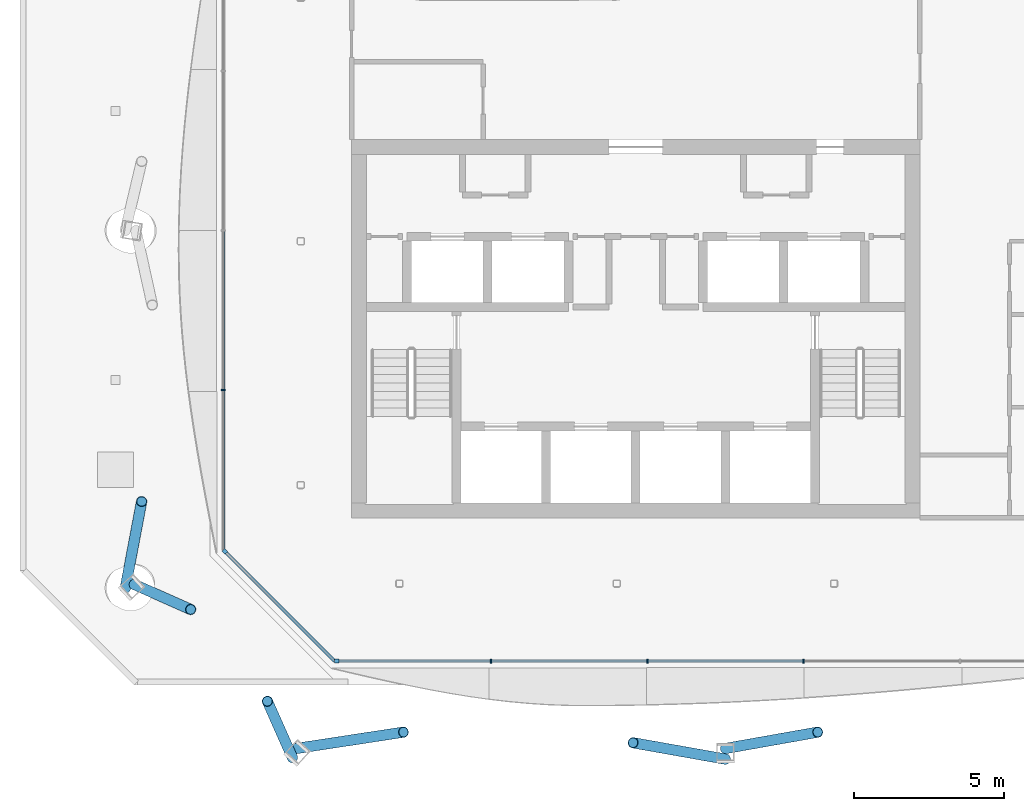
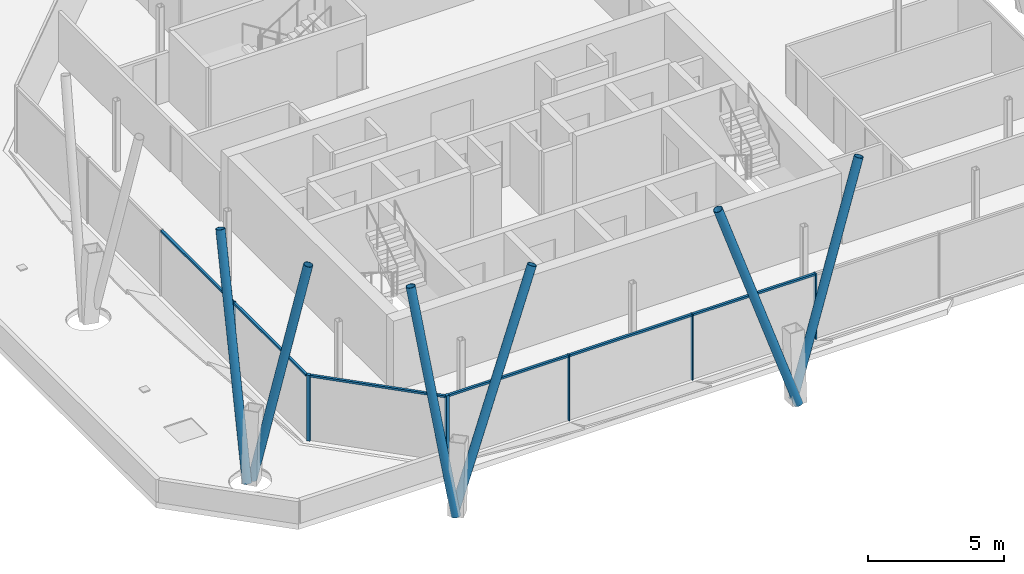
# One storey, part 3 of 17: 18 members, 3 elements without a shape of their own.
"""IFC4 building model written with IfcOpenShell, lengths in metres."""

from ifc_helpers import new_model, si_unit, direction, frame, origin, origin_2d, place, context, subcontext, project, spatial, rectangle, hollow_circle, extrude, material, material_profile, profile_set, type_object, element, aggregate, save


model = new_model("IFC4")

# Units and contexts
model_context = context("Model", 3, precision=1e-05, world=origin(), true_north=direction((0.0, 1.0)))
body_context = subcontext(model_context, "Body", "Model", "MODEL_VIEW")
ifc_project = project(units=[si_unit("LENGTHUNIT", "METRE"), si_unit("AREAUNIT", "SQUARE_METRE"), si_unit("VOLUMEUNIT", "CUBIC_METRE"), si_unit("PLANEANGLEUNIT", "RADIAN"), si_unit("MASSUNIT", "GRAM", prefix="KILO")], contexts=[model_context])

# Site, building, storey
site_placement = place(None, origin())
site = spatial("IfcSite", under=ifc_project, at=site_placement, CompositionType="ELEMENT")
building_placement = place(site_placement, origin())
building = spatial("IfcBuilding", under=site, at=building_placement, Name="Tskaro Facet Tower", CompositionType="ELEMENT")
storey_placement = place(building_placement, frame((0.0, 0.0, 259.5)))
storey = spatial("IfcBuildingStorey", under=building, at=storey_placement, Name="L68", CompositionType="ELEMENT", Elevation=259.5)

# Members
ifc_material_1 = material(Name="Steel S355J2H", Category="steel")
ifc_material_profile_1 = material_profile(ifc_material_1, hollow_circle(Radius=0.177734375, WallThickness=0.01611328125, at=origin_2d()), Name="CHS 355.6x16")
ifc_profile_set_1 = profile_set([ifc_material_profile_1], Name="Steel S355J2H")
member_type_1 = type_object("IfcMemberType", Name="CHS 355.6x16 brace", PredefinedType="BRACE", material=ifc_profile_set_1)
member_1_placement = place(storey_placement, frame((-11.35498046875, -19.715087890625, 0.0), z_axis=(0.354494082848, 0.054094171565, 0.933492241976), x_axis=(-0.150849231904, 0.988556780986, 0.0)))
element("IfcMember", 1, at=member_1_placement, inside=storey, type_object=member_type_1, Name="CHS 355.6x16 XB01A/6", PredefinedType="BRACE", context=body_context, shape_type="SweptSolid", body=[
    extrude(hollow_circle(Radius=0.177734375, WallThickness=0.01611328125, at=origin_2d()), origin(), (0.0, 0.0, 1.0), 10.123291015625),
])
for number, where, z_axis, x_axis, name in (
    (2, (3.0, -20.07080078125, 0.0), (-0.310174829584, 0.055022317596, 0.949085939027), (-0.174664448116, -0.984628016341, 0.0), "CHS 355.6x16 XB01B/6"),
    (3, (3.0, -19.715087890625, 0.0), (0.310175247958, 0.054997872029, 0.949087219188), (-0.174588984972, 0.984641399864, 0.0), "CHS 355.6x16 XB02A/6"),
):
    element("IfcMember", number, at=place(storey_placement, frame(where, z_axis=z_axis, x_axis=x_axis)), inside=storey, type_object=member_type_1, Name=name, PredefinedType="BRACE", context=body_context, shape_type="SweptSolid", body=[
        extrude(hollow_circle(Radius=0.177734375, WallThickness=0.01611328125, at=origin_2d()), origin(), (0.0, 0.0, 1.0), 9.956787109375),
    ])
member_2_placement = place(storey_placement, frame((-17.07080078125, -14.35498046875, 0.0), z_axis=(0.055336217431, 0.293030424123, 0.954500431419), x_axis=(-0.982632646837, 0.185561529875, 0.0)))
element("IfcMember", 4, at=member_2_placement, inside=storey, type_object=member_type_1, Name="CHS 355.6x16 XB11B/6", PredefinedType="BRACE", context=body_context, shape_type="SweptSolid", body=[
    extrude(hollow_circle(Radius=0.177734375, WallThickness=0.01611328125, at=origin_2d()), origin(), (0.0, 0.0, 1.0), 9.900390625),
])
for number, where, z_axis, x_axis, name in (
    (5, (-16.767333984375, -14.229248046875, 0.0), (0.194861626099, -0.08650139801, 0.977008932823), (0.40573198476, 0.913992098731, 0.0), "CHS 355.6x16 XB12A/6"),
    (6, (-11.480712890625, -20.018798828125, 0.0), (-0.08650139801, 0.194861626099, 0.977008932823), (-0.913992098731, -0.40573198476, 0.0), "CHS 355.6x16 XB12B/6"),
):
    element("IfcMember", number, at=place(storey_placement, frame(where, z_axis=z_axis, x_axis=x_axis)), inside=storey, type_object=member_type_1, Name=name, PredefinedType="BRACE", context=body_context, shape_type="SweptSolid", body=[
        extrude(hollow_circle(Radius=0.177734375, WallThickness=0.01611328125, at=origin_2d()), origin(), (0.0, 0.0, 1.0), 9.67236328125),
    ])

# Curtain wall, member
ifc_material_2 = material(Name="Bronze anodised aluminium 6063-T6", Category="aluminium")
curtain_wall_type = type_object("IfcCurtainWallType", Name="Bronze residence curtain wall (FW3)", PredefinedType="NOTDEFINED", material=ifc_material_2)
curtain_wall_1_placement = place(storey_placement, origin())
curtain_wall_1 = element("IfcCurtainWall", 7, at=curtain_wall_1_placement, inside=storey, type_object=curtain_wall_type, Name="FW3 south facet L68", PredefinedType="NOTDEFINED")
ifc_material_profile_2 = material_profile(ifc_material_2, rectangle(XDim=0.139892578125, YDim=0.139892578125, at=origin_2d()), Name="Corner post 140x140")
ifc_profile_set_2 = profile_set([ifc_material_profile_2], Name="Bronze anodised aluminium 6063-T6")
member_type_2 = type_object("IfcMemberType", Name="FW3 bronze corner post 140x140", PredefinedType="MULLION", material=ifc_profile_set_2)
member_3_placement = place(storey_placement, frame((-10.0, -16.79296875, 0.0), z_axis=(0.0, 0.0, 1.0), x_axis=(1.0, 0.0, 0.0)))
member_3 = element("IfcMember", 8, at=member_3_placement, type_object=member_type_2, Name="FW3 south corner post", PredefinedType="MULLION", context=body_context, shape_type="SweptSolid", body=[
    extrude(rectangle(XDim=0.139892578125, YDim=0.139892578125, at=origin_2d()), origin(), (0.0, 0.0, 1.0), 2.949951171875),
])

curtain_wall_2_placement = place(storey_placement, origin())
curtain_wall_2 = element("IfcCurtainWall", 9, at=curtain_wall_2_placement, inside=storey, type_object=curtain_wall_type, Name="FW3 south-west facet L68", PredefinedType="NOTDEFINED")
member_4_placement = place(storey_placement, frame((-13.743408203125, -13.119384765625, 0.0), z_axis=(0.0, 0.0, 1.0), x_axis=(0.707106781187, -0.707106781187, 0.0)))
member_4 = element("IfcMember", 10, at=member_4_placement, type_object=member_type_2, Name="FW3 south-west corner post", PredefinedType="MULLION", context=body_context, shape_type="SweptSolid", body=[
    extrude(rectangle(XDim=0.139892578125, YDim=0.139892578125, at=origin_2d()), origin(), (0.0, 0.0, 1.0), 2.949951171875),
])

# Member
ifc_material_profile_3 = material_profile(ifc_material_2, rectangle(XDim=0.050048828125, YDim=0.139892578125, at=origin_2d()), Name="Mullion 50x140")
ifc_profile_set_3 = profile_set([ifc_material_profile_3], Name="Bronze anodised aluminium 6063-T6")
member_type_3 = type_object("IfcMemberType", Name="FW3 bronze mullion 50x140", PredefinedType="MULLION", material=ifc_profile_set_3)
member_5_placement = place(storey_placement, frame((-4.842041015625, -16.79296875, 0.0), z_axis=(0.0, 0.0, 1.0), x_axis=(1.0, 0.0, 0.0)))
member_5 = element("IfcMember", 11, at=member_5_placement, type_object=member_type_3, Name="FW3 south mullion 1", PredefinedType="MULLION", context=body_context, shape_type="SweptSolid", body=[
    extrude(rectangle(XDim=0.050048828125, YDim=0.139892578125, at=origin_2d()), origin(), (0.0, 0.0, 1.0), 2.949951171875),
])

member_6_placement = place(storey_placement, frame((0.385986328125, -16.79296875, 0.0), z_axis=(0.0, 0.0, 1.0), x_axis=(1.0, 0.0, 0.0)))
member_6 = element("IfcMember", 12, at=member_6_placement, type_object=member_type_3, Name="FW3 south mullion 2", PredefinedType="MULLION", context=body_context, shape_type="SweptSolid", body=[
    extrude(rectangle(XDim=0.050048828125, YDim=0.139892578125, at=origin_2d()), origin(), (0.0, 0.0, 1.0), 2.949951171875),
])

member_7_placement = place(storey_placement, frame((5.614013671875, -16.79296875, 0.0), z_axis=(0.0, 0.0, 1.0), x_axis=(1.0, 0.0, 0.0)))
member_7 = element("IfcMember", 13, at=member_7_placement, type_object=member_type_3, Name="FW3 south mullion 3", PredefinedType="MULLION", context=body_context, shape_type="SweptSolid", body=[
    extrude(rectangle(XDim=0.050048828125, YDim=0.139892578125, at=origin_2d()), origin(), (0.0, 0.0, 1.0), 2.949951171875),
])

# Curtain wall, member
curtain_wall_3_placement = place(storey_placement, origin())
curtain_wall_3 = element("IfcCurtainWall", 14, at=curtain_wall_3_placement, inside=storey, type_object=curtain_wall_type, Name="FW3 west facet L68", PredefinedType="NOTDEFINED")
member_8_placement = place(storey_placement, frame((-13.79296875, -7.730712890625, 0.0), z_axis=(0.0, 0.0, 1.0), x_axis=(0.0, -1.0, 0.0)))
member_8 = element("IfcMember", 15, at=member_8_placement, type_object=member_type_3, Name="FW3 west mullion 3", PredefinedType="MULLION", context=body_context, shape_type="SweptSolid", body=[
    extrude(rectangle(XDim=0.050048828125, YDim=0.139892578125, at=origin_2d()), origin(), (0.0, 0.0, 1.0), 2.949951171875),
])

# Member
ifc_material_profile_4 = material_profile(ifc_material_2, rectangle(XDim=0.10009765625, YDim=0.090087890625, at=origin_2d()), Name="Transom 100x90")
ifc_profile_set_4 = profile_set([ifc_material_profile_4], Name="Bronze anodised aluminium 6063-T6")
member_type_4 = type_object("IfcMemberType", Name="FW3 bronze transom 100x90", PredefinedType="USERDEFINED", material=ifc_profile_set_4)
member_9_placement = place(storey_placement, frame((-9.929931640625, -16.79296875, 2.905029296875), z_axis=(1.0, 0.0, 0.0), x_axis=(0.0, 1.0, 0.0)))
member_9 = element("IfcMember", 16, at=member_9_placement, type_object=member_type_4, Name="FW3 south transom 1.1", ObjectType="TRANSOM", PredefinedType="USERDEFINED", context=body_context, shape_type="SweptSolid", body=[
    extrude(rectangle(XDim=0.10009765625, YDim=0.090087890625, at=origin_2d()), origin(), (0.0, 0.0, 1.0), 5.06298828125),
])

member_10_placement = place(storey_placement, frame((-4.81689453125, -16.79296875, 2.905029296875), z_axis=(1.0, 0.0, 0.0), x_axis=(0.0, 1.0, 0.0)))
member_10 = element("IfcMember", 17, at=member_10_placement, type_object=member_type_4, Name="FW3 south transom 2.1", ObjectType="TRANSOM", PredefinedType="USERDEFINED", context=body_context, shape_type="SweptSolid", body=[
    extrude(rectangle(XDim=0.10009765625, YDim=0.090087890625, at=origin_2d()), origin(), (0.0, 0.0, 1.0), 5.177978515625),
])

member_11_placement = place(storey_placement, frame((0.410888671875, -16.79296875, 2.905029296875), z_axis=(1.0, 0.0, 0.0), x_axis=(0.0, 1.0, 0.0)))
member_11 = element("IfcMember", 18, at=member_11_placement, type_object=member_type_4, Name="FW3 south transom 3.1", ObjectType="TRANSOM", PredefinedType="USERDEFINED", context=body_context, shape_type="SweptSolid", body=[
    extrude(rectangle(XDim=0.10009765625, YDim=0.090087890625, at=origin_2d()), origin(), (0.0, 0.0, 1.0), 5.17822265625),
])

aggregate(curtain_wall_1, [member_3, member_5, member_6, member_7, member_9, member_10, member_11])

member_12_placement = place(storey_placement, frame((-13.79296875, -2.41650390625, 2.905029296875), z_axis=(0.0, -1.0, 0.0), x_axis=(1.0, 0.0, 0.0)))
member_12 = element("IfcMember", 19, at=member_12_placement, type_object=member_type_4, Name="FW3 west transom 3.1", ObjectType="TRANSOM", PredefinedType="USERDEFINED", context=body_context, shape_type="SweptSolid", body=[
    extrude(rectangle(XDim=0.10009765625, YDim=0.090087890625, at=origin_2d()), origin(), (0.0, 0.0, 1.0), 5.289306640625),
])

member_13_placement = place(storey_placement, frame((-13.79296875, -7.755859375, 2.905029296875), z_axis=(0.0, -1.0, 0.0), x_axis=(1.0, 0.0, 0.0)))
member_13 = element("IfcMember", 20, at=member_13_placement, type_object=member_type_4, Name="FW3 west transom 4.1", ObjectType="TRANSOM", PredefinedType="USERDEFINED", context=body_context, shape_type="SweptSolid", body=[
    extrude(rectangle(XDim=0.10009765625, YDim=0.090087890625, at=origin_2d()), origin(), (0.0, 0.0, 1.0), 5.314208984375),
])

aggregate(curtain_wall_3, [member_8, member_12, member_13])

member_14_placement = place(storey_placement, frame((-13.694091796875, -13.1689453125, 2.905029296875), z_axis=(0.707106781187, -0.707106781187, 0.0), x_axis=(0.707106781187, 0.707106781187, 0.0)))
member_14 = element("IfcMember", 21, at=member_14_placement, type_object=member_type_4, Name="FW3 south-west transom 1.1", ObjectType="TRANSOM", PredefinedType="USERDEFINED", context=body_context, shape_type="SweptSolid", body=[
    extrude(rectangle(XDim=0.10009765625, YDim=0.090087890625, at=origin_2d()), origin(), (0.0, 0.0, 1.0), 5.125244140625),
])

aggregate(curtain_wall_2, [member_4, member_14])

save(model, "model.ifc")
